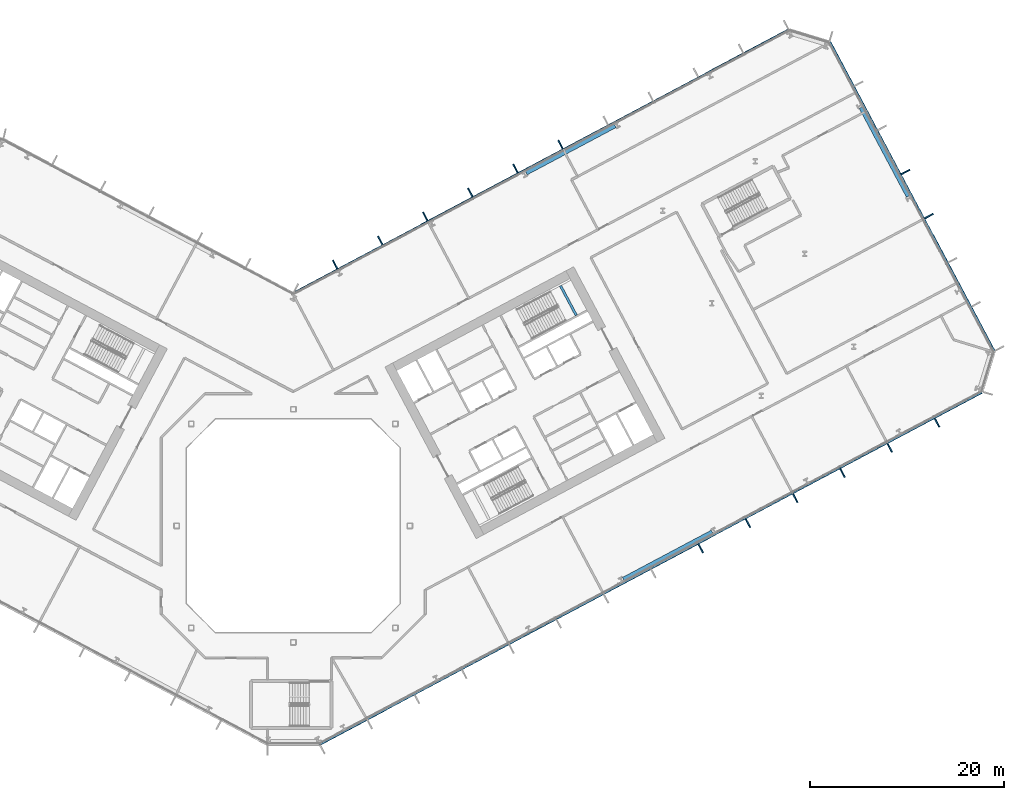
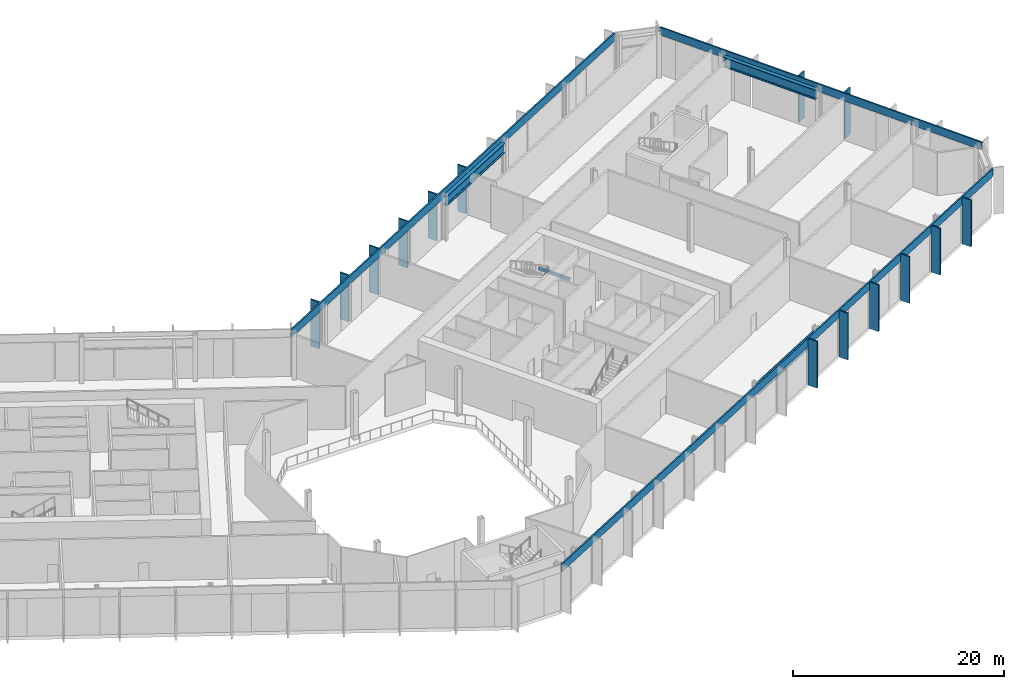
# One storey, part 7 of 32: 17 members, 4 beams, 3 elements without a shape of their own.
"""IFC4 building model written with IfcOpenShell, lengths in metres."""

from ifc_helpers import new_model, si_unit, direction, frame, origin, origin_2d, place, context, subcontext, project, spatial, rectangle, i_section, extrude, material, layer, layer_set, material_profile, profile_set, type_object, element, aggregate, save


model = new_model("IFC4")

# Units and contexts
model_context = context("Model", 3, precision=1e-05, world=origin(), true_north=direction((0.0, 1.0)))
body_context = subcontext(model_context, "Body", "Model", "MODEL_VIEW")
ifc_project = project(units=[si_unit("LENGTHUNIT", "METRE"), si_unit("AREAUNIT", "SQUARE_METRE"), si_unit("VOLUMEUNIT", "CUBIC_METRE"), si_unit("PLANEANGLEUNIT", "RADIAN"), si_unit("MASSUNIT", "GRAM", prefix="KILO")], contexts=[model_context])

# Site, building, storey
site_placement = place(None, origin())
site = spatial("IfcSite", under=ifc_project, at=site_placement, CompositionType="ELEMENT")
building_placement = place(site_placement, origin())
building = spatial("IfcBuilding", under=site, at=building_placement, Name="Cormorant Relay Tower", CompositionType="ELEMENT")
storey_placement = place(building_placement, frame((0.0, 0.0, 39.199951171875)))
storey = spatial("IfcBuildingStorey", under=building, at=storey_placement, Name="L07", CompositionType="ELEMENT", Elevation=39.199951171875)

# Curtain wall, members
ifc_material_1 = material(Name="Aluminium 6063-T6 anodised bronze", Category="aluminium")
ifc_layer = layer(ifc_material_1, 0.235107421875)
ifc_layer_set = layer_set([ifc_layer], Name="CW6 data hall curtain wall with mineral wool panels")
curtain_wall_type = type_object("IfcCurtainWallType", Name="CW6 data hall curtain wall with mineral wool panels", PredefinedType="NOTDEFINED", material=ifc_layer_set)
curtain_wall_1_placement = place(storey_placement, origin())
curtain_wall_1 = element("IfcCurtainWall", 1, at=curtain_wall_1_placement, inside=storey, type_object=curtain_wall_type, Name="CW6 curtain wall 2", PredefinedType="NOTDEFINED")
ifc_material_2 = material(Name="Aluminium 6063-T6 anodised bronze", Category="aluminium")
ifc_material_profile_1 = material_profile(ifc_material_2, rectangle(XDim=0.14990234375, YDim=1.0, at=origin_2d()), Name="AL 150x1000")
ifc_profile_set_1 = profile_set([ifc_material_profile_1], Name="Aluminium 6063-T6 anodised bronze")
member_type_1 = type_object("IfcMemberType", Name="CW6 bronze fin mullion 150 x 1000", PredefinedType="MULLION", material=ifc_profile_set_1)
member_1_placement = place(storey_placement, frame((41.92724609375, -2.3232421875, 0.0), z_axis=(0.0, 0.0, 1.0), x_axis=(0.882947592859, 0.469471562786, 0.0)))
member_1 = element("IfcMember", 2, at=member_1_placement, type_object=member_type_1, Name="CW6 fin 2.9", PredefinedType="MULLION", context=body_context, shape_type="SweptSolid", body=[
    extrude(rectangle(XDim=0.14990234375, YDim=1.0, at=origin_2d()), origin(), (0.0, 0.0, 1.0), 5.400146484375),
])
member_2_placement = place(storey_placement, frame((46.7939453125, 0.264404296875, 0.0), z_axis=(0.0, 0.0, 1.0), x_axis=(0.882947592859, 0.469471562786, 0.0)))
member_2 = element("IfcMember", 3, at=member_2_placement, type_object=member_type_1, Name="CW6 fin 2.10", PredefinedType="MULLION", context=body_context, shape_type="SweptSolid", body=[
    extrude(rectangle(XDim=0.14990234375, YDim=1.0, at=origin_2d()), origin(), (0.0, 0.0, 1.0), 5.400146484375),
])
member_3_placement = place(storey_placement, frame((51.66064453125, 2.85205078125, 0.0), z_axis=(0.0, 0.0, 1.0), x_axis=(0.882947592859, 0.469471562786, 0.0)))
member_3 = element("IfcMember", 4, at=member_3_placement, type_object=member_type_1, Name="CW6 fin 2.11", PredefinedType="MULLION", context=body_context, shape_type="SweptSolid", body=[
    extrude(rectangle(XDim=0.14990234375, YDim=1.0, at=origin_2d()), origin(), (0.0, 0.0, 1.0), 5.400146484375),
])
member_4_placement = place(storey_placement, frame((56.52734375, 5.439697265625, 0.0), z_axis=(0.0, 0.0, 1.0), x_axis=(0.882947592859, 0.469471562786, 0.0)))
member_4 = element("IfcMember", 5, at=member_4_placement, type_object=member_type_1, Name="CW6 fin 2.12", PredefinedType="MULLION", context=body_context, shape_type="SweptSolid", body=[
    extrude(rectangle(XDim=0.14990234375, YDim=1.0, at=origin_2d()), origin(), (0.0, 0.0, 1.0), 5.400146484375),
])
member_5_placement = place(storey_placement, frame((61.39404296875, 8.02734375, 0.0), z_axis=(0.0, 0.0, 1.0), x_axis=(0.882947592859, 0.469471562786, 0.0)))
member_5 = element("IfcMember", 6, at=member_5_placement, type_object=member_type_1, Name="CW6 fin 2.13", PredefinedType="MULLION", context=body_context, shape_type="SweptSolid", body=[
    extrude(rectangle(XDim=0.14990234375, YDim=1.0, at=origin_2d()), origin(), (0.0, 0.0, 1.0), 5.400146484375),
])
member_6_placement = place(storey_placement, frame((66.2607421875, 10.614990234375, 0.0), z_axis=(0.0, 0.0, 1.0), x_axis=(0.882947592859, 0.469471562786, 0.0)))
member_6 = element("IfcMember", 7, at=member_6_placement, type_object=member_type_1, Name="CW6 fin 2.14", PredefinedType="MULLION", context=body_context, shape_type="SweptSolid", body=[
    extrude(rectangle(XDim=0.14990234375, YDim=1.0, at=origin_2d()), origin(), (0.0, 0.0, 1.0), 5.400146484375),
])

curtain_wall_2_placement = place(storey_placement, origin())
curtain_wall_2 = element("IfcCurtainWall", 8, at=curtain_wall_2_placement, inside=storey, type_object=curtain_wall_type, Name="CW6 curtain wall 4", PredefinedType="NOTDEFINED")
member_7_placement = place(storey_placement, frame((65.428466796875, 31.876708984375, 0.0), z_axis=(0.0, 0.0, 1.0), x_axis=(-0.469471562786, 0.882947592859, 0.0)))
member_7 = element("IfcMember", 9, at=member_7_placement, type_object=member_type_1, Name="CW6 fin 4.4", PredefinedType="MULLION", context=body_context, shape_type="SweptSolid", body=[
    extrude(rectangle(XDim=0.14990234375, YDim=1.0, at=origin_2d()), origin(), (0.0, 0.0, 1.0), 5.400146484375),
])
member_8_placement = place(storey_placement, frame((63.013916015625, 36.41748046875, 0.0), z_axis=(0.0, 0.0, 1.0), x_axis=(-0.469471562786, 0.882947592859, 0.0)))
member_8 = element("IfcMember", 10, at=member_8_placement, type_object=member_type_1, Name="CW6 fin 4.5", PredefinedType="MULLION", context=body_context, shape_type="SweptSolid", body=[
    extrude(rectangle(XDim=0.14990234375, YDim=1.0, at=origin_2d()), origin(), (0.0, 0.0, 1.0), 5.400146484375),
])

curtain_wall_3_placement = place(storey_placement, origin())
curtain_wall_3 = element("IfcCurtainWall", 11, at=curtain_wall_3_placement, inside=storey, type_object=curtain_wall_type, Name="CW6 curtain wall 6", PredefinedType="NOTDEFINED")
member_9_placement = place(storey_placement, frame((27.50830078125, 39.242919921875, 0.0), z_axis=(0.0, 0.0, 1.0), x_axis=(-0.882947592859, -0.469471562786, 0.0)))
member_9 = element("IfcMember", 12, at=member_9_placement, type_object=member_type_1, Name="CW6 fin 6.6", PredefinedType="MULLION", context=body_context, shape_type="SweptSolid", body=[
    extrude(rectangle(XDim=0.14990234375, YDim=1.0, at=origin_2d()), origin(), (0.0, 0.0, 1.0), 5.400146484375),
])
member_10_placement = place(storey_placement, frame((22.8662109375, 36.7744140625, 0.0), z_axis=(0.0, 0.0, 1.0), x_axis=(-0.882947592859, -0.469471562786, 0.0)))
member_10 = element("IfcMember", 13, at=member_10_placement, type_object=member_type_1, Name="CW6 fin 6.7", PredefinedType="MULLION", context=body_context, shape_type="SweptSolid", body=[
    extrude(rectangle(XDim=0.14990234375, YDim=1.0, at=origin_2d()), origin(), (0.0, 0.0, 1.0), 5.400146484375),
])
member_11_placement = place(storey_placement, frame((18.223876953125, 34.30615234375, 0.0), z_axis=(0.0, 0.0, 1.0), x_axis=(-0.882947592859, -0.469471562786, 0.0)))
member_11 = element("IfcMember", 14, at=member_11_placement, type_object=member_type_1, Name="CW6 fin 6.8", PredefinedType="MULLION", context=body_context, shape_type="SweptSolid", body=[
    extrude(rectangle(XDim=0.14990234375, YDim=1.0, at=origin_2d()), origin(), (0.0, 0.0, 1.0), 5.400146484375),
])
member_12_placement = place(storey_placement, frame((13.58154296875, 31.837890625, 0.0), z_axis=(0.0, 0.0, 1.0), x_axis=(-0.882947592859, -0.469471562786, 0.0)))
member_12 = element("IfcMember", 15, at=member_12_placement, type_object=member_type_1, Name="CW6 fin 6.9", PredefinedType="MULLION", context=body_context, shape_type="SweptSolid", body=[
    extrude(rectangle(XDim=0.14990234375, YDim=1.0, at=origin_2d()), origin(), (0.0, 0.0, 1.0), 5.400146484375),
])
member_13_placement = place(storey_placement, frame((8.939453125, 29.36962890625, 0.0), z_axis=(0.0, 0.0, 1.0), x_axis=(-0.882947592859, -0.469471562786, 0.0)))
member_13 = element("IfcMember", 16, at=member_13_placement, type_object=member_type_1, Name="CW6 fin 6.10", PredefinedType="MULLION", context=body_context, shape_type="SweptSolid", body=[
    extrude(rectangle(XDim=0.14990234375, YDim=1.0, at=origin_2d()), origin(), (0.0, 0.0, 1.0), 5.400146484375),
])
member_14_placement = place(storey_placement, frame((4.297119140625, 26.9013671875, 0.0), z_axis=(0.0, 0.0, 1.0), x_axis=(-0.882947592859, -0.469471562786, 0.0)))
member_14 = element("IfcMember", 17, at=member_14_placement, type_object=member_type_1, Name="CW6 fin 6.11", PredefinedType="MULLION", context=body_context, shape_type="SweptSolid", body=[
    extrude(rectangle(XDim=0.14990234375, YDim=1.0, at=origin_2d()), origin(), (0.0, 0.0, 1.0), 5.400146484375),
])

# Member
ifc_material_3 = material(Name="Aluminium 6063-T6 anodised bronze", Category="aluminium")
ifc_material_profile_2 = material_profile(ifc_material_3, rectangle(XDim=0.159912109375, YDim=0.89990234375, at=origin_2d()), Name="AL 160x900")
ifc_profile_set_2 = profile_set([ifc_material_profile_2], Name="Aluminium 6063-T6 anodised bronze")
member_type_2 = type_object("IfcMemberType", Name="CW6 bronze transom 160 x 900", PredefinedType="USERDEFINED", material=ifc_profile_set_2)
member_15_placement = place(storey_placement, frame((2.7216796875, -22.512451171875, 4.949951171875), z_axis=(0.882946645884, 0.469473343783, 0.0), x_axis=(-0.469473343783, 0.882946645884, 0.0)))
member_15 = element("IfcMember", 18, at=member_15_placement, type_object=member_type_2, Name="CW6 transom 2", ObjectType="TRANSOM", PredefinedType="USERDEFINED", context=body_context, shape_type="SweptSolid", body=[
    extrude(rectangle(XDim=0.159912109375, YDim=0.89990234375, at=origin_2d()), origin(), (0.0, 0.0, 1.0), 77.165771484375),
])

aggregate(curtain_wall_1, [member_1, member_2, member_3, member_4, member_5, member_6, member_15])

member_16_placement = place(storey_placement, frame((72.15966796875, 17.981689453125, 4.949951171875), z_axis=(-0.469474517326, 0.882946021896, 0.0), x_axis=(-0.882946021896, -0.469474517326, 0.0)))
member_16 = element("IfcMember", 19, at=member_16_placement, type_object=member_type_2, Name="CW6 transom 4", ObjectType="TRANSOM", PredefinedType="USERDEFINED", context=body_context, shape_type="SweptSolid", body=[
    extrude(rectangle(XDim=0.159912109375, YDim=0.89990234375, at=origin_2d()), origin(), (0.0, 0.0, 1.0), 36.0),
])

aggregate(curtain_wall_2, [member_7, member_8, member_16])

member_17_placement = place(storey_placement, frame((50.99169921875, 51.072265625, 4.949951171875), z_axis=(-0.882948196078, -0.469470428295, 0.0), x_axis=(0.469470428295, -0.882948196078, 0.0)))
member_17 = element("IfcMember", 20, at=member_17_placement, type_object=member_type_2, Name="CW6 transom 6", ObjectType="TRANSOM", PredefinedType="USERDEFINED", context=body_context, shape_type="SweptSolid", body=[
    extrude(rectangle(XDim=0.159912109375, YDim=0.89990234375, at=origin_2d()), origin(), (0.0, 0.0, 1.0), 57.833984375),
])

aggregate(curtain_wall_3, [member_9, member_10, member_11, member_12, member_13, member_14, member_17])

# Beams
ifc_material_4 = material(Name="Steel ASTM A992 (Fy 345 MPa)", Category="steel")
ifc_material_profile_3 = material_profile(ifc_material_4, i_section(OverallWidth=0.408935546875, OverallDepth=1.137939453125, WebThickness=0.031005859375, FlangeThickness=0.05517578125, FilletRadius=0.02001953125, at=origin_2d()), Name="W1100x607")
ifc_profile_set_3 = profile_set([ifc_material_profile_3], Name="Steel ASTM A992 (Fy 345 MPa)")
beam_type_1 = type_object("IfcBeamType", Name="Spandrel W1100x607", PredefinedType="SPANDREL", material=ifc_profile_set_3)
for number, where, z_axis, x_axis, name in (
    (21, (33.9716796875, -5.4892578125, 4.381103515625), (0.882947604656, 0.469471540599, 0.0), (-0.469471540599, 0.882947604656, 0.0), "Spandrel beam L07-002"),
    (22, (63.289306640625, 33.898681640625, 4.381103515625), (-0.469471540599, 0.882947604656, 0.0), (-0.882947604656, -0.469471540599, 0.0), "Spandrel beam L07-004"),
):
    element("IfcBeam", number, at=place(storey_placement, frame(where, z_axis=z_axis, x_axis=x_axis)), inside=storey, type_object=beam_type_1, Name=name, PredefinedType="SPANDREL", context=body_context, shape_type="SweptSolid", body=[
        extrude(i_section(OverallWidth=0.408935546875, OverallDepth=1.137939453125, WebThickness=0.031005859375, FlangeThickness=0.05517578125, FilletRadius=0.02001953125, at=origin_2d()), origin(), (0.0, 0.0, 1.0), 10.36376953125),
    ])
beam_1_placement = place(storey_placement, frame((33.132080078125, 41.169189453125, 4.381103515625), z_axis=(-0.882942412403, -0.469481305677, 0.0), x_axis=(0.469481305677, -0.882942412403, 0.0)))
element("IfcBeam", 23, at=beam_1_placement, inside=storey, type_object=beam_type_1, Name="Spandrel beam L07-006", PredefinedType="SPANDREL", context=body_context, shape_type="SweptSolid", body=[
    extrude(i_section(OverallWidth=0.408935546875, OverallDepth=1.137939453125, WebThickness=0.031005859375, FlangeThickness=0.05517578125, FilletRadius=0.02001953125, at=origin_2d()), origin(), (0.0, 0.0, 1.0), 10.363525390625),
])
ifc_material_5 = material(Name="Concrete 50 MPa", Category="concrete")
ifc_material_profile_4 = material_profile(ifc_material_5, rectangle(XDim=0.25, YDim=0.300048828125, at=origin_2d()), Name="RC 250x300")
ifc_profile_set_4 = profile_set([ifc_material_profile_4], Name="Concrete 50 MPa")
beam_type_2 = type_object("IfcBeamType", Name="Stair landing ledge beam 250x300", PredefinedType="BEAM", material=ifc_profile_set_4)
beam_2_placement = place(storey_placement, frame((29.1259765625, 21.6591796875, 2.35009765625), z_axis=(-0.469493252696, 0.882936059788, 0.0), x_axis=(-0.882936059788, -0.469493252696, 0.0)))
element("IfcBeam", 24, at=beam_2_placement, inside=storey, type_object=beam_type_2, Name="B2 landing ledge beam", PredefinedType="BEAM", context=body_context, shape_type="SweptSolid", body=[
    extrude(rectangle(XDim=0.25, YDim=0.300048828125, at=origin_2d()), origin(), (0.0, 0.0, 1.0), 3.44970703125),
])

save(model, "model.ifc")
